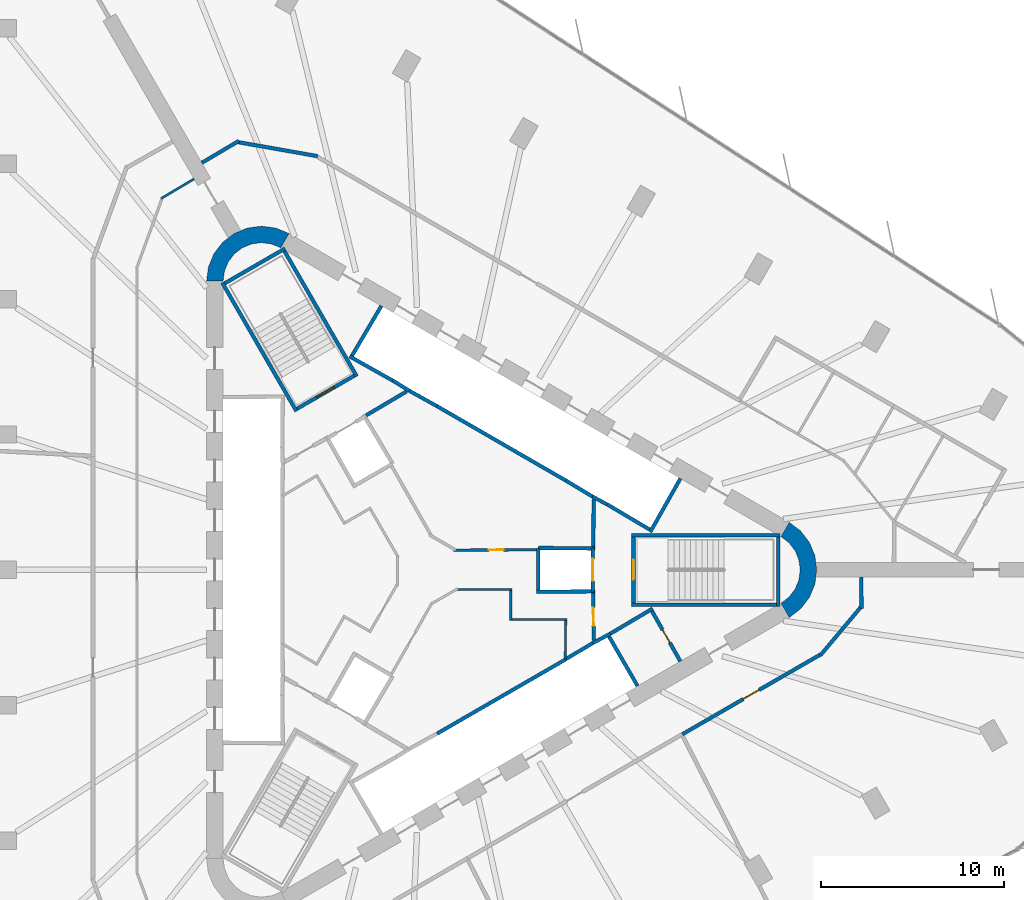
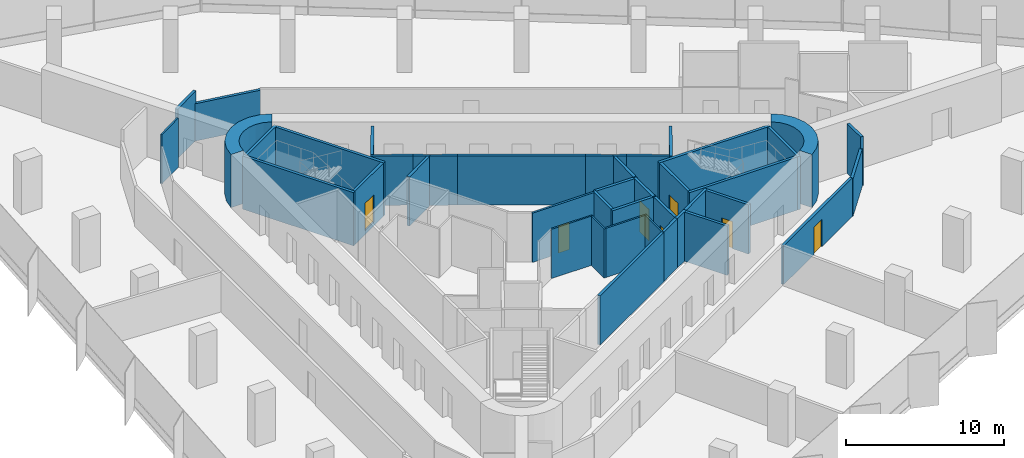
# One storey, part 11 of 14: 43 walls, 7 doors, 7 openings.
"""IFC4 building model written with IfcOpenShell, lengths in metres."""

from ifc_helpers import new_model, si_unit, direction, frame, frame_2d, origin, place, context, subcontext, project, spatial, polyline, rectangle, outline, extrude, material, layer, layer_set, type_object, element, fill, save


model = new_model("IFC4")

# Units and contexts
model_context = context("Model", 3, precision=1e-05, world=origin(), true_north=direction((0.0, 1.0)))
body_context = subcontext(model_context, "Body", "Model", "MODEL_VIEW")
ifc_project = project(units=[si_unit("LENGTHUNIT", "METRE"), si_unit("AREAUNIT", "SQUARE_METRE"), si_unit("VOLUMEUNIT", "CUBIC_METRE"), si_unit("PLANEANGLEUNIT", "RADIAN"), si_unit("MASSUNIT", "GRAM", prefix="KILO")], contexts=[model_context])

# Site, building, storey
site_placement = place(None, origin())
site = spatial("IfcSite", under=ifc_project, at=site_placement, CompositionType="ELEMENT")
building_placement = place(site_placement, origin())
building = spatial("IfcBuilding", under=site, at=building_placement, Name="Tanit Gate Tower", CompositionType="ELEMENT")
storey_placement = place(building_placement, frame((0.0, 0.0, 74.199951171875)))
storey = spatial("IfcBuildingStorey", under=building, at=storey_placement, Name="L14", CompositionType="ELEMENT", Elevation=74.199951171875)

# Walls
ifc_material_1 = material(Name="Concrete C60/75", Category="concrete")
ifc_layer_1 = layer(ifc_material_1, 0.89990234375)
ifc_layer_set_1 = layer_set([ifc_layer_1], Name="CORE WALL 900 C60/75")
wall_type_1 = type_object("IfcWallType", Name="CORE WALL 900 C60/75", PredefinedType="SHEAR", material=ifc_layer_set_1)
wall_1_placement = place(storey_placement, origin())
element("IfcWall", 1, at=wall_1_placement, inside=storey, type_object=wall_type_1, Name="CORE WALL CORNER", PredefinedType="SHEAR", context=body_context, shape_type="SweptSolid", body=[
    extrude(outline(polyline([(-7.60009765625, 18.359619140625), (-8.323486328125, 18.659423828125), (-9.10009765625, 18.76171875), (-9.87646484375, 18.659423828125), (-10.60009765625, 18.359619140625), (-11.22119140625, 17.883056640625), (-11.697998046875, 17.26171875), (-11.997802734375, 16.5380859375), (-12.10009765625, 15.76171875), (-11.199951171875, 15.76171875), (-11.12841796875, 16.30517578125), (-10.918701171875, 16.811767578125), (-10.5849609375, 17.24658203125), (-10.14990234375, 17.580322265625), (-9.6435546875, 17.7900390625), (-9.10009765625, 17.86181640625), (-8.556396484375, 17.7900390625), (-8.050048828125, 17.580322265625), (-7.60009765625, 18.359619140625)])), origin(), (0.0, 0.0, 1.0), 4.10009765625),
])
wall_2_placement = place(storey_placement, origin())
element("IfcWall", 2, at=wall_2_placement, inside=storey, type_object=wall_type_1, Name="CORE WALL CORNER", PredefinedType="SHEAR", context=body_context, shape_type="SweptSolid", body=[
    extrude(outline(polyline([(19.699951171875, -2.59814453125), (20.3212890625, -2.121337890625), (20.798095703125, -1.5), (21.097900390625, -0.776611328125), (21.199951171875, 0.0), (21.097900390625, 0.776611328125), (20.798095703125, 1.5), (20.3212890625, 2.121337890625), (19.699951171875, 2.59814453125), (19.25, 1.818603515625), (19.684814453125, 1.48486328125), (20.018798828125, 1.050048828125), (20.228515625, 0.54345703125), (20.300048828125, 0.0), (20.228515625, -0.54345703125), (20.018798828125, -1.050048828125), (19.684814453125, -1.48486328125), (19.25, -1.818603515625), (19.699951171875, -2.59814453125)])), origin(), (0.0, 0.0, 1.0), 4.10009765625),
])
ifc_material_2 = material(Name="Fire-rated gypsum board partition")
ifc_layer_2 = layer(ifc_material_2, 0.199951171875)
ifc_layer_set_2 = layer_set([ifc_layer_2], Name="INT-WALL-COMPARTMENT")
wall_type_2 = type_object("IfcWallType", Name="INT-WALL-COMPARTMENT", PredefinedType="PARTITIONING", material=ifc_layer_set_2)
wall_3_placement = place(storey_placement, frame((12.244873046875, -2.10888671875, 0.0), z_axis=(0.0, 0.0, 1.0), x_axis=(-0.860414880418, -0.509594185166, 0.0)))
element("IfcWall", 3, at=wall_3_placement, inside=storey, type_object=wall_type_2, Name="Wall Compartment W057", PredefinedType="PARTITIONING", context=body_context, shape_type="SweptSolid", body=[
    extrude(rectangle(XDim=2.7001953125, YDim=0.199951171875, at=frame_2d((1.35009765625, 0.0))), origin(), (0.0, 0.0, 1.0), 3.800048828125),
])

# Wall, opening, door
wall_4_placement = place(storey_placement, frame((13.758056640625, -4.989501953125, 0.0), z_axis=(0.0, 0.0, 1.0), x_axis=(-0.491993409184, 0.87059892334, 0.0)))
wall_4 = element("IfcWall", 4, at=wall_4_placement, inside=storey, type_object=wall_type_2, Name="Wall Compartment W058", PredefinedType="PARTITIONING", context=body_context, shape_type="SweptSolid", body=[
    extrude(rectangle(XDim=3.150146484375, YDim=0.199951171875, at=frame_2d((1.5751953125, 0.0))), origin(), (0.0, 0.0, 1.0), 3.800048828125),
])
opening_1_placement = place(wall_4_placement, frame((1.175048828125, 0.0, 0.0)))
opening_1 = element("IfcOpeningElement", 5, at=opening_1_placement, cuts=wall_4, Name="Opening R08-S02-13", PredefinedType="OPENING", context=body_context, shape_type="SweptSolid", body=[
    extrude(rectangle(XDim=0.800048828125, YDim=2.10009765625, at=frame_2d((0.39990234375, 1.050048828125))), frame((0.0, 0.10986328125, 0.0), z_axis=(0.0, -1.0, 0.0), x_axis=(1.0, 0.0, 0.0)), (0.0, 0.0, 1.0), 0.219970703125),
])
ifc_material_3 = material(Name="Timber door leaf", Category="wood")
door_type_1 = type_object("IfcDoorType", Name="INT-DOOR-RISER-800", OperationType="NOTDEFINED", PredefinedType="USERDEFINED", material=ifc_material_3)
door_1_placement = place(opening_1_placement, origin())
door_1 = element("IfcDoor", 6, at=door_1_placement, inside=storey, type_object=door_type_1, Name="Door R08-S02-13", ObjectType="FIRE DOOR", OperationType="SINGLE_SWING_LEFT", OverallHeight=2.10009765625, OverallWidth=0.800048828125, PredefinedType="USERDEFINED", context=body_context, shape_type="SweptSolid", body=[
    extrude(rectangle(XDim=0.800048828125, YDim=2.10009765625, at=frame_2d((0.39990234375, 1.050048828125))), frame((0.0, 0.02490234375, 0.0), z_axis=(0.0, -1.0, 0.0), x_axis=(1.0, 0.0, 0.0)), (0.0, 0.0, 1.0), 0.050048828125),
])
fill(opening_1, door_1)

# Wall
wall_5_placement = place(storey_placement, frame((9.0009765625, 1.27001953125, 0.0), z_axis=(0.0, 0.0, 1.0), x_axis=(0.010784614026, 0.999941844359, 0.0)))
element("IfcWall", 7, at=wall_5_placement, inside=storey, type_object=wall_type_2, Name="Wall Compartment W059", PredefinedType="PARTITIONING", context=body_context, shape_type="SweptSolid", body=[
    extrude(rectangle(XDim=2.580810546875, YDim=0.199951171875, at=frame_2d((1.29052734375, 0.0))), origin(), (0.0, 0.0, 1.0), 3.800048828125),
])

# Wall, opening, door
wall_6_placement = place(storey_placement, frame((9.02880859375, -3.850830078125, 0.0), z_axis=(0.0, 0.0, 1.0), x_axis=(-0.010783593937, 0.99994185536, 0.0)))
wall_6 = element("IfcWall", 8, at=wall_6_placement, inside=storey, type_object=wall_type_2, Name="Wall Compartment W060", PredefinedType="PARTITIONING", context=body_context, shape_type="SweptSolid", body=[
    extrude(rectangle(XDim=2.5810546875, YDim=0.199951171875, at=frame_2d((1.29052734375, 0.0))), origin(), (0.0, 0.0, 1.0), 3.800048828125),
])
opening_2_placement = place(wall_6_placement, frame((0.79052734375, 0.0, 0.0)))
opening_2 = element("IfcOpeningElement", 9, at=opening_2_placement, cuts=wall_6, Name="Opening F10-S02-02", PredefinedType="OPENING", context=body_context, shape_type="SweptSolid", body=[
    extrude(rectangle(XDim=1.0, YDim=2.10009765625, at=frame_2d((0.5, 1.050048828125))), frame((0.0, 0.10986328125, 0.0), z_axis=(0.0, -1.0, 0.0), x_axis=(1.0, 0.0, 0.0)), (0.0, 0.0, 1.0), 0.219970703125),
])
ifc_material_4 = material(Name="Fire-rated steel door leaf", Category="steel")
door_type_2 = type_object("IfcDoorType", Name="INT-DOOR-FIRE-1000", OperationType="NOTDEFINED", PredefinedType="USERDEFINED", material=ifc_material_4)
door_2_placement = place(opening_2_placement, origin())
door_2 = element("IfcDoor", 10, at=door_2_placement, inside=storey, type_object=door_type_2, Name="Door F10-S02-02", ObjectType="FIRE DOOR", OperationType="SINGLE_SWING_RIGHT", OverallHeight=2.10009765625, OverallWidth=1.0, PredefinedType="USERDEFINED", context=body_context, shape_type="SweptSolid", body=[
    extrude(rectangle(XDim=1.0, YDim=2.10009765625, at=frame_2d((0.5, 1.050048828125))), frame((0.0, 0.02490234375, 0.0), z_axis=(0.0, -1.0, 0.0), x_axis=(1.0, 0.0, 0.0)), (0.0, 0.0, 1.0), 0.050048828125),
])
fill(opening_2, door_2)

# Walls
wall_7_placement = place(storey_placement, frame((-1.1796875, 9.744384765625, 0.0), z_axis=(0.0, 0.0, 1.0), x_axis=(-0.860615607571, -0.509255118781, 0.0)))
element("IfcWall", 11, at=wall_7_placement, inside=storey, type_object=wall_type_2, Name="Wall Compartment W061", PredefinedType="PARTITIONING", context=body_context, shape_type="SweptSolid", body=[
    extrude(rectangle(XDim=2.58056640625, YDim=0.199951171875, at=frame_2d((1.290283203125, 0.0))), origin(), (0.0, 0.0, 1.0), 3.800048828125),
])
wall_8_placement = place(storey_placement, frame((-10.3388671875, 23.4150390625, 0.0), z_axis=(0.0, 0.0, 1.0), x_axis=(-0.860316803263, -0.509759745393, 0.0)))
element("IfcWall", 12, at=wall_8_placement, inside=storey, type_object=wall_type_2, Name="Wall Compartment W094", PredefinedType="PARTITIONING", context=body_context, shape_type="SweptSolid", body=[
    extrude(rectangle(XDim=2.35400390625, YDim=0.199951171875, at=frame_2d((1.177001953125, 0.0))), origin(), (0.0, 0.0, 1.0), 3.800048828125),
])
wall_9_placement = place(storey_placement, frame((-6.042236328125, 22.58056640625, 0.0), z_axis=(0.0, 0.0, 1.0), x_axis=(-0.984805258509, 0.173662324106, 0.0)))
element("IfcWall", 13, at=wall_9_placement, inside=storey, type_object=wall_type_2, Name="Wall Compartment W095", PredefinedType="PARTITIONING", context=body_context, shape_type="SweptSolid", body=[
    extrude(rectangle(XDim=4.415771484375, YDim=0.199951171875, at=frame_2d((2.2080078125, 0.0))), origin(), (0.0, 0.0, 1.0), 2.880126953125),
])
wall_10_placement = place(storey_placement, frame((23.64794921875, -2.097900390625, 0.0), z_axis=(0.0, 0.0, 1.0), x_axis=(-0.015095332307, 0.99988605898, 0.0)))
element("IfcWall", 14, at=wall_10_placement, inside=storey, type_object=wall_type_2, Name="Wall Compartment W102", PredefinedType="PARTITIONING", context=body_context, shape_type="SweptSolid", body=[
    extrude(rectangle(XDim=1.6982421875, YDim=0.199951171875, at=frame_2d((0.84912109375, 0.0))), origin(), (0.0, 0.0, 1.0), 3.800048828125),
])
wall_11_placement = place(storey_placement, frame((21.4013671875, -4.657470703125, 0.0), z_axis=(0.0, 0.0, 1.0), x_axis=(0.642796210095, 0.766037226437, 0.0)))
element("IfcWall", 15, at=wall_11_placement, inside=storey, type_object=wall_type_2, Name="Wall Compartment W103", PredefinedType="PARTITIONING", context=body_context, shape_type="SweptSolid", body=[
    extrude(rectangle(XDim=3.44287109375, YDim=0.199951171875, at=frame_2d((1.721435546875, 0.0))), origin(), (0.0, 0.0, 1.0), 2.880126953125),
])

# Wall, opening, door
wall_12_placement = place(storey_placement, frame((13.862060546875, -8.970703125, 0.0), z_axis=(0.0, 0.0, 1.0), x_axis=(0.866032891431, 0.499987030792, 0.0)))
wall_12 = element("IfcWall", 16, at=wall_12_placement, inside=storey, type_object=wall_type_2, Name="Wall Compartment W104", PredefinedType="PARTITIONING", context=body_context, shape_type="SweptSolid", body=[
    extrude(rectangle(XDim=8.679931640625, YDim=0.199951171875, at=frame_2d((4.33984375, 0.0))), origin(), (0.0, 0.0, 1.0), 2.97998046875),
])
opening_3_placement = place(wall_12_placement, frame((3.83984375, 0.0, 0.0)))
opening_3 = element("IfcOpeningElement", 17, at=opening_3_placement, cuts=wall_12, Name="Opening F10-S02-22", PredefinedType="OPENING", context=body_context, shape_type="SweptSolid", body=[
    extrude(rectangle(XDim=1.0, YDim=2.10009765625, at=frame_2d((0.5, 1.050048828125))), frame((0.0, 0.10986328125, 0.0), z_axis=(0.0, -1.0, 0.0), x_axis=(1.0, 0.0, 0.0)), (0.0, 0.0, 1.0), 0.219970703125),
])
door_3_placement = place(opening_3_placement, origin())
door_3 = element("IfcDoor", 18, at=door_3_placement, inside=storey, type_object=door_type_2, Name="Door F10-S02-22", ObjectType="FIRE DOOR", OperationType="SINGLE_SWING_LEFT", OverallHeight=2.10009765625, OverallWidth=1.0, PredefinedType="USERDEFINED", context=body_context, shape_type="SweptSolid", body=[
    extrude(rectangle(XDim=1.0, YDim=2.10009765625, at=frame_2d((0.5, 1.050048828125))), frame((0.0, 0.02490234375, 0.0), z_axis=(0.0, -1.0, 0.0), x_axis=(1.0, 0.0, 0.0)), (0.0, 0.0, 1.0), 0.050048828125),
])
fill(opening_3, door_3)

# Walls
ifc_material_5 = material(Name="Gypsum board partition")
ifc_layer_3 = layer(ifc_material_5, 0.1201171875)
ifc_layer_set_3 = layer_set([ifc_layer_3], Name="INT-WALL-PARTITION")
wall_type_3 = type_object("IfcWallType", Name="INT-WALL-PARTITION", PredefinedType="PARTITIONING", material=ifc_layer_set_3)
wall_13_placement = place(storey_placement, frame((4.56005859375, -1.074951171875, 0.0), z_axis=(0.0, 0.0, 1.0), x_axis=(-1.0, 0.0, 0.0)))
element("IfcWall", 19, at=wall_13_placement, inside=storey, type_object=wall_type_3, Name="Wall Partition W070", PredefinedType="PARTITIONING", context=body_context, shape_type="SweptSolid", body=[
    extrude(rectangle(XDim=3.02587890625, YDim=0.1201171875, at=frame_2d((1.512939453125, 0.0))), origin(), (0.0, 0.0, 1.0), 3.800048828125),
])
wall_14_placement = place(storey_placement, frame((4.5, -2.760009765625, 0.0), z_axis=(0.0, 0.0, 1.0), x_axis=(0.0, 1.0, 0.0)))
element("IfcWall", 20, at=wall_14_placement, inside=storey, type_object=wall_type_3, Name="Wall Partition W071", PredefinedType="PARTITIONING", context=body_context, shape_type="SweptSolid", body=[
    extrude(rectangle(XDim=1.625, YDim=0.1201171875, at=frame_2d((0.8125, 0.0))), origin(), (0.0, 0.0, 1.0), 3.800048828125),
])
wall_15_placement = place(storey_placement, frame((7.56005859375, -2.699951171875, 0.0), z_axis=(0.0, 0.0, 1.0), x_axis=(-1.0, 0.0, 0.0)))
element("IfcWall", 21, at=wall_15_placement, inside=storey, type_object=wall_type_3, Name="Wall Partition W072", PredefinedType="PARTITIONING", context=body_context, shape_type="SweptSolid", body=[
    extrude(rectangle(XDim=3.0, YDim=0.1201171875, at=frame_2d((1.5, 0.0))), origin(), (0.0, 0.0, 1.0), 3.800048828125),
])
wall_16_placement = place(storey_placement, frame((7.474609375, -4.864501953125, 0.0), z_axis=(0.0, 0.0, 1.0), x_axis=(0.011716133148, 0.999931363757, 0.0)))
element("IfcWall", 22, at=wall_16_placement, inside=storey, type_object=wall_type_3, Name="Wall Partition W073", PredefinedType="PARTITIONING", context=body_context, shape_type="SweptSolid", body=[
    extrude(rectangle(XDim=2.104736328125, YDim=0.1201171875, at=frame_2d((1.05224609375, 0.0))), origin(), (0.0, 0.0, 1.0), 3.800048828125),
])
wall_17_placement = place(storey_placement, frame((-12.781982421875, 21.339111328125, 0.0), z_axis=(0.0, 0.0, 1.0), x_axis=(-0.859769901207, -0.510681619973, 0.0)))
element("IfcWall", 23, at=wall_17_placement, inside=storey, type_object=wall_type_3, Name="Wall Partition W083", PredefinedType="PARTITIONING", context=body_context, shape_type="SweptSolid", body=[
    extrude(rectangle(XDim=2.092529296875, YDim=0.1201171875, at=frame_2d((1.04638671875, 0.0))), origin(), (0.0, 0.0, 1.0), 3.800048828125),
])

# Wall, opening, door
ifc_material_6 = material(Name="Fire-rated gypsum board partition")
ifc_layer_4 = layer(ifc_material_6, 0.14990234375)
ifc_layer_set_4 = layer_set([ifc_layer_4], Name="INT-WALL-RISER")
wall_type_4 = type_object("IfcWallType", Name="INT-WALL-RISER", PredefinedType="PLUMBINGWALL", material=ifc_layer_set_4)
wall_18_placement = place(storey_placement, frame((1.3876953125, 1.07421875, 0.0), z_axis=(0.0, 0.0, 1.0), x_axis=(0.99997856967, 0.006546770205, 0.0)))
wall_18 = element("IfcWall", 24, at=wall_18_placement, inside=storey, type_object=wall_type_4, Name="Wall Riser W065", PredefinedType="PLUMBINGWALL", context=body_context, shape_type="SweptSolid", body=[
    extrude(rectangle(XDim=4.51220703125, YDim=0.14990234375, at=frame_2d((2.256103515625, 0.0))), origin(), (0.0, 0.0, 1.0), 3.800048828125),
])
opening_4_placement = place(wall_18_placement, frame((1.920166015625, 0.0, 0.0)))
opening_4 = element("IfcOpeningElement", 25, at=opening_4_placement, cuts=wall_18, Name="Opening R08-S02-10", PredefinedType="OPENING", context=body_context, shape_type="SweptSolid", body=[
    extrude(rectangle(XDim=0.800048828125, YDim=2.10009765625, at=frame_2d((0.39990234375, 1.050048828125))), frame((0.0, 0.0849609375, 0.0), z_axis=(0.0, -1.0, 0.0), x_axis=(1.0, 0.0, 0.0)), (0.0, 0.0, 1.0), 0.169921875),
])
door_4_placement = place(opening_4_placement, origin())
door_4 = element("IfcDoor", 26, at=door_4_placement, inside=storey, type_object=door_type_1, Name="Door R08-S02-10", ObjectType="FIRE DOOR", OperationType="SINGLE_SWING_RIGHT", OverallHeight=2.10009765625, OverallWidth=0.800048828125, PredefinedType="USERDEFINED", context=body_context, shape_type="SweptSolid", body=[
    extrude(rectangle(XDim=0.800048828125, YDim=2.10009765625, at=frame_2d((0.39990234375, 1.050048828125))), frame((0.0, 0.02490234375, 0.0), z_axis=(0.0, -1.0, 0.0), x_axis=(1.0, 0.0, 0.0)), (0.0, 0.0, 1.0), 0.050048828125),
])
fill(opening_4, door_4)

# Walls
ifc_material_7 = material(Name="Gypsum shaft wall system")
ifc_layer_5 = layer(ifc_material_7, 0.199951171875)
ifc_layer_set_5 = layer_set([ifc_layer_5], Name="INT-WALL-SHAFT")
wall_type_5 = type_object("IfcWallType", Name="INT-WALL-SHAFT", PredefinedType="PLUMBINGWALL", material=ifc_layer_set_5)
wall_19_placement = place(storey_placement, frame((7.497314453125, 4.885986328125, 0.0), z_axis=(0.0, 0.0, 1.0), x_axis=(-0.866030989016, 0.499990325971, 0.0)))
element("IfcWall", 27, at=wall_19_placement, inside=storey, type_object=wall_type_5, Name="Wall Shaft W003", PredefinedType="PLUMBINGWALL", context=body_context, shape_type="SweptSolid", body=[
    extrude(rectangle(XDim=8.099853515625, YDim=0.199951171875, at=frame_2d((4.0498046875, 0.0))), origin(), (0.0, 0.0, 1.0), 3.800048828125),
])
wall_20_placement = place(storey_placement, frame((12.10986328125, 2.07275390625, 0.0), z_axis=(0.0, 0.0, 1.0), x_axis=(0.49196600604, 0.870614408852, 0.0)))
element("IfcWall", 28, at=wall_20_placement, inside=storey, type_object=wall_type_5, Name="Wall Shaft W013", PredefinedType="PLUMBINGWALL", context=body_context, shape_type="SweptSolid", body=[
    extrude(rectangle(XDim=3.35009765625, YDim=0.199951171875, at=frame_2d((1.675048828125, 0.0))), origin(), (0.0, 0.0, 1.0), 3.800048828125),
])
wall_21_placement = place(storey_placement, frame((12.072998046875, 2.2109375, 0.0), z_axis=(0.0, 0.0, 1.0), x_axis=(-0.860438357912, 0.509554542943, 0.0)))
element("IfcWall", 29, at=wall_21_placement, inside=storey, type_object=wall_type_5, Name="Wall Shaft W014", PredefinedType="PLUMBINGWALL", context=body_context, shape_type="SweptSolid", body=[
    extrude(rectangle(XDim=2.700439453125, YDim=0.199951171875, at=frame_2d((1.35009765625, 0.0))), origin(), (0.0, 0.0, 1.0), 3.800048828125),
])
wall_22_placement = place(storey_placement, frame((9.74755859375, 3.583251953125, 0.0), z_axis=(0.0, 0.0, 1.0), x_axis=(-0.880917147855, 0.473270513147, 0.0)))
element("IfcWall", 30, at=wall_22_placement, inside=storey, type_object=wall_type_5, Name="Wall Shaft W015", PredefinedType="PLUMBINGWALL", context=body_context, shape_type="SweptSolid", body=[
    extrude(rectangle(XDim=0.8779296875, YDim=0.199951171875, at=frame_2d((0.43896484375, 0.0))), origin(), (0.0, 0.0, 1.0), 3.800048828125),
])
wall_23_placement = place(storey_placement, frame((9.0791015625, 3.93701171875, 0.0), z_axis=(0.0, 0.0, 1.0), x_axis=(-0.857516281273, 0.51445682749, 0.0)))
element("IfcWall", 31, at=wall_23_placement, inside=storey, type_object=wall_type_5, Name="Wall Shaft W016", PredefinedType="PLUMBINGWALL", context=body_context, shape_type="SweptSolid", body=[
    extrude(rectangle(XDim=1.8447265625, YDim=0.199951171875, at=frame_2d((0.92236328125, 0.0))), origin(), (0.0, 0.0, 1.0), 3.800048828125),
])
wall_24_placement = place(storey_placement, frame((-1.940673828125, 10.338623046875, 0.0), z_axis=(0.0, 0.0, 1.0), x_axis=(0.850216889117, -0.526432561171, 0.0)))
element("IfcWall", 32, at=wall_24_placement, inside=storey, type_object=wall_type_5, Name="Wall Shaft W019", PredefinedType="PLUMBINGWALL", context=body_context, shape_type="SweptSolid", body=[
    extrude(rectangle(XDim=1.078369140625, YDim=0.199951171875, at=frame_2d((0.5390625, 0.0))), origin(), (0.0, 0.0, 1.0), 3.800048828125),
])
wall_25_placement = place(storey_placement, frame((0.482666015625, 8.935791015625, 0.0), z_axis=(0.0, 0.0, 1.0), x_axis=(-0.874269620932, 0.485440655401, 0.0)))
element("IfcWall", 33, at=wall_25_placement, inside=storey, type_object=wall_type_5, Name="Wall Shaft W020", PredefinedType="PLUMBINGWALL", context=body_context, shape_type="SweptSolid", body=[
    extrude(rectangle(XDim=1.8447265625, YDim=0.199951171875, at=frame_2d((0.92236328125, 0.0))), origin(), (0.0, 0.0, 1.0), 3.800048828125),
])
wall_26_placement = place(storey_placement, frame((-4.296142578125, 11.658935546875, 0.0), z_axis=(0.0, 0.0, 1.0), x_axis=(0.871534483978, -0.490334215854, 0.0)))
element("IfcWall", 34, at=wall_26_placement, inside=storey, type_object=wall_type_5, Name="Wall Shaft W021", PredefinedType="PLUMBINGWALL", context=body_context, shape_type="SweptSolid", body=[
    extrude(rectangle(XDim=2.7001953125, YDim=0.199951171875, at=frame_2d((1.35009765625, 0.0))), origin(), (0.0, 0.0, 1.0), 3.800048828125),
])
wall_27_placement = place(storey_placement, frame((-4.158203125, 11.696044921875, 0.0), z_axis=(0.0, 0.0, 1.0), x_axis=(0.508018930956, 0.861345903683, 0.0)))
element("IfcWall", 35, at=wall_27_placement, inside=storey, type_object=wall_type_5, Name="Wall Shaft W022", PredefinedType="PLUMBINGWALL", context=body_context, shape_type="SweptSolid", body=[
    extrude(rectangle(XDim=3.150146484375, YDim=0.199951171875, at=frame_2d((1.5751953125, 0.0))), origin(), (0.0, 0.0, 1.0), 3.800048828125),
])
wall_28_placement = place(storey_placement, frame((0.482666015625, -8.935791015625, 0.0), z_axis=(0.0, 0.0, 1.0), x_axis=(0.866030989016, 0.499990325971, 0.0)))
element("IfcWall", 36, at=wall_28_placement, inside=storey, type_object=wall_type_5, Name="Wall Shaft W031", PredefinedType="PLUMBINGWALL", context=body_context, shape_type="SweptSolid", body=[
    extrude(rectangle(XDim=8.099853515625, YDim=0.199951171875, at=frame_2d((4.0498046875, 0.0))), origin(), (0.0, 0.0, 1.0), 3.800048828125),
])
wall_29_placement = place(storey_placement, frame((9.794677734375, -3.52490234375, 0.0), z_axis=(0.0, 0.0, 1.0), x_axis=(0.499984717929, -0.866034226713, 0.0)))
element("IfcWall", 37, at=wall_29_placement, inside=storey, type_object=wall_type_5, Name="Wall Shaft W024", PredefinedType="PLUMBINGWALL", context=body_context, shape_type="SweptSolid", body=[
    extrude(rectangle(XDim=3.25, YDim=0.199951171875, at=frame_2d((1.625, 0.0))), origin(), (0.0, 0.0, 1.0), 3.800048828125),
])
wall_30_placement = place(storey_placement, frame((8.97412109375, -3.998779296875, 0.0), z_axis=(0.0, 0.0, 1.0), x_axis=(0.880907015104, 0.473289373154, 0.0)))
element("IfcWall", 38, at=wall_30_placement, inside=storey, type_object=wall_type_5, Name="Wall Shaft W025", PredefinedType="PLUMBINGWALL", context=body_context, shape_type="SweptSolid", body=[
    extrude(rectangle(XDim=1.078125, YDim=0.199951171875, at=frame_2d((0.5390625, 0.0))), origin(), (0.0, 0.0, 1.0), 3.800048828125),
])
wall_31_placement = place(storey_placement, frame((7.4931640625, -4.87841796875, 0.0), z_axis=(0.0, 0.0, 1.0), x_axis=(0.859981807212, 0.510324691999, 0.0)))
element("IfcWall", 39, at=wall_31_placement, inside=storey, type_object=wall_type_5, Name="Wall Shaft W026", PredefinedType="PLUMBINGWALL", context=body_context, shape_type="SweptSolid", body=[
    extrude(rectangle(XDim=1.8447265625, YDim=0.199951171875, at=frame_2d((0.92236328125, 0.0))), origin(), (0.0, 0.0, 1.0), 3.800048828125),
])

# Wall, opening, door
wall_32_placement = place(storey_placement, frame((8.969970703125, 1.199951171875, 0.0), z_axis=(0.0, 0.0, 1.0), x_axis=(0.0, -1.0, 0.0)))
wall_32 = element("IfcWall", 40, at=wall_32_placement, inside=storey, type_object=wall_type_5, Name="Wall Shaft W037", PredefinedType="PLUMBINGWALL", context=body_context, shape_type="SweptSolid", body=[
    extrude(rectangle(XDim=2.39990234375, YDim=0.199951171875, at=frame_2d((1.199951171875, 0.0))), origin(), (0.0, 0.0, 1.0), 3.800048828125),
])
opening_5_placement = place(wall_32_placement, frame((0.60009765625, 0.0, 0.0)))
opening_5 = element("IfcOpeningElement", 41, at=opening_5_placement, cuts=wall_32, Name="Opening LDFL1-L14", PredefinedType="OPENING", context=body_context, shape_type="SweptSolid", body=[
    extrude(rectangle(XDim=1.199951171875, YDim=2.39990234375, at=frame_2d((0.60009765625, 1.199951171875))), frame((0.0, 0.10986328125, 0.0), z_axis=(0.0, -1.0, 0.0), x_axis=(1.0, 0.0, 0.0)), (0.0, 0.0, 1.0), 0.219970703125),
])
ifc_material_8 = material(Name="Stainless steel sliding door leaf", Category="steel")
door_type_3 = type_object("IfcDoorType", Name="INT-DOOR-LANDING-1200", OperationType="NOTDEFINED", PredefinedType="USERDEFINED", material=ifc_material_8)
door_5_placement = place(opening_5_placement, origin())
door_5 = element("IfcDoor", 42, at=door_5_placement, inside=storey, type_object=door_type_3, Name="Door LDFL1-L14", ObjectType="LANDING DOOR", OperationType="SLIDING_TO_LEFT", OverallHeight=2.39990234375, OverallWidth=1.199951171875, PredefinedType="USERDEFINED", context=body_context, shape_type="SweptSolid", body=[
    extrude(rectangle(XDim=1.199951171875, YDim=2.39990234375, at=frame_2d((0.60009765625, 1.199951171875))), frame((0.0, 0.02490234375, 0.0), z_axis=(0.0, -1.0, 0.0), x_axis=(1.0, 0.0, 0.0)), (0.0, 0.0, 1.0), 0.050048828125),
])
fill(opening_5, door_5)

# Walls
wall_33_placement = place(storey_placement, frame((6.0, 1.199951171875, 0.0), z_axis=(0.0, 0.0, 1.0), x_axis=(0.999949988, -0.010001074852, 0.0)))
element("IfcWall", 43, at=wall_33_placement, inside=storey, type_object=wall_type_5, Name="Wall Shaft W038", PredefinedType="PLUMBINGWALL", context=body_context, shape_type="SweptSolid", body=[
    extrude(rectangle(XDim=3.100341796875, YDim=0.199951171875, at=frame_2d((1.55029296875, 0.0))), origin(), (0.0, 0.0, 1.0), 3.800048828125),
])
wall_34_placement = place(storey_placement, frame((5.89990234375, -1.200927734375, 0.0), z_axis=(0.0, 0.0, 1.0), x_axis=(0.999950064753, 0.009993397809, 0.0)))
element("IfcWall", 44, at=wall_34_placement, inside=storey, type_object=wall_type_5, Name="Wall Shaft W039", PredefinedType="PLUMBINGWALL", context=body_context, shape_type="SweptSolid", body=[
    extrude(rectangle(XDim=3.200439453125, YDim=0.199951171875, at=frame_2d((1.60009765625, 0.0))), origin(), (0.0, 0.0, 1.0), 3.800048828125),
])
wall_35_placement = place(storey_placement, frame((6.0, -1.10009765625, 0.0), z_axis=(0.0, 0.0, 1.0), x_axis=(0.0, 1.0, 0.0)))
element("IfcWall", 45, at=wall_35_placement, inside=storey, type_object=wall_type_5, Name="Wall Shaft W040", PredefinedType="PLUMBINGWALL", context=body_context, shape_type="SweptSolid", body=[
    extrude(rectangle(XDim=2.279541015625, YDim=0.199951171875, at=frame_2d((1.1396484375, 0.0))), origin(), (0.0, 0.0, 1.0), 3.800048828125),
])
ifc_material_9 = material(Name="Concrete C40/50", Category="concrete")
ifc_layer_6 = layer(ifc_material_9, 0.199951171875)
ifc_layer_set_6 = layer_set([ifc_layer_6], Name="INT-WALL-STAIR")
wall_type_6 = type_object("IfcWallType", Name="INT-WALL-STAIR", PredefinedType="SHEAR", material=ifc_layer_set_6)
wall_36_placement = place(storey_placement, frame((19.199951171875, 1.89990234375, -0.300048828125), z_axis=(0.0, 0.0, 1.0), x_axis=(-1.0, 0.0, 0.0)))
element("IfcWall", 46, at=wall_36_placement, inside=storey, type_object=wall_type_6, Name="Wall Stair W033", PredefinedType="SHEAR", context=body_context, shape_type="SweptSolid", body=[
    extrude(rectangle(XDim=8.099853515625, YDim=0.199951171875, at=frame_2d((4.0498046875, 0.0))), origin(), (0.0, 0.0, 1.0), 4.10009765625),
])
wall_37_placement = place(storey_placement, frame((19.10009765625, -2.0, -0.300048828125), z_axis=(0.0, 0.0, 1.0), x_axis=(0.0, 1.0, 0.0)))
element("IfcWall", 47, at=wall_37_placement, inside=storey, type_object=wall_type_6, Name="Wall Stair W034", PredefinedType="SHEAR", context=body_context, shape_type="SweptSolid", body=[
    extrude(rectangle(XDim=3.800048828125, YDim=0.199951171875, at=frame_2d((1.89990234375, 0.0))), origin(), (0.0, 0.0, 1.0), 4.10009765625),
])
wall_38_placement = place(storey_placement, frame((11.10009765625, -1.89990234375, -0.300048828125), z_axis=(0.0, 0.0, 1.0), x_axis=(1.0, 0.0, 0.0)))
element("IfcWall", 48, at=wall_38_placement, inside=storey, type_object=wall_type_6, Name="Wall Stair W035", PredefinedType="SHEAR", context=body_context, shape_type="SweptSolid", body=[
    extrude(rectangle(XDim=7.89990234375, YDim=0.199951171875, at=frame_2d((3.949951171875, 0.0))), origin(), (0.0, 0.0, 1.0), 4.10009765625),
])

# Wall, opening, door
wall_39_placement = place(storey_placement, frame((11.199951171875, -1.800048828125, -0.300048828125), z_axis=(0.0, 0.0, 1.0), x_axis=(0.0, 1.0, 0.0)))
wall_39 = element("IfcWall", 49, at=wall_39_placement, inside=storey, type_object=wall_type_6, Name="Wall Stair W036", PredefinedType="SHEAR", context=body_context, shape_type="SweptSolid", body=[
    extrude(rectangle(XDim=3.60009765625, YDim=0.199951171875, at=frame_2d((1.800048828125, 0.0))), origin(), (0.0, 0.0, 1.0), 4.10009765625),
])
opening_6_placement = place(wall_39_placement, frame((1.25, 0.0, 0.300048828125)))
opening_6 = element("IfcOpeningElement", 50, at=opening_6_placement, cuts=wall_39, Name="Opening S11-S02-01", PredefinedType="OPENING", context=body_context, shape_type="SweptSolid", body=[
    extrude(rectangle(XDim=1.10009765625, YDim=2.10009765625, at=frame_2d((0.550048828125, 1.050048828125))), frame((0.0, 0.10986328125, 0.0), z_axis=(0.0, -1.0, 0.0), x_axis=(1.0, 0.0, 0.0)), (0.0, 0.0, 1.0), 0.219970703125),
])
ifc_material_10 = material(Name="Timber door leaf", Category="wood")
door_type_4 = type_object("IfcDoorType", Name="INT-DOOR-STAIR-1100", OperationType="NOTDEFINED", PredefinedType="USERDEFINED", material=ifc_material_10)
door_6_placement = place(opening_6_placement, origin())
door_6 = element("IfcDoor", 51, at=door_6_placement, inside=storey, type_object=door_type_4, Name="Door S11-S02-01", ObjectType="FIRE DOOR", OperationType="SINGLE_SWING_LEFT", OverallHeight=2.10009765625, OverallWidth=1.10009765625, PredefinedType="USERDEFINED", context=body_context, shape_type="SweptSolid", body=[
    extrude(rectangle(XDim=1.10009765625, YDim=2.10009765625, at=frame_2d((0.550048828125, 1.050048828125))), frame((0.0, 0.02490234375, 0.0), z_axis=(0.0, -1.0, 0.0), x_axis=(1.0, 0.0, 0.0)), (0.0, 0.0, 1.0), 0.050048828125),
])
fill(opening_6, door_6)

# Walls
wall_40_placement = place(storey_placement, frame((-11.245361328125, 15.677734375, -0.300048828125), z_axis=(0.0, 0.0, 1.0), x_axis=(0.499977274689, -0.866038523851, 0.0)))
element("IfcWall", 52, at=wall_40_placement, inside=storey, type_object=wall_type_6, Name="Wall Stair W041", PredefinedType="SHEAR", context=body_context, shape_type="SweptSolid", body=[
    extrude(rectangle(XDim=8.10009765625, YDim=0.199951171875, at=frame_2d((4.050048828125, 0.0))), origin(), (0.0, 0.0, 1.0), 4.10009765625),
])
wall_41_placement = place(storey_placement, frame((-7.81787109375, 17.541015625, -0.300048828125), z_axis=(0.0, 0.0, 1.0), x_axis=(-0.866044365799, -0.499967155389, 0.0)))
element("IfcWall", 53, at=wall_41_placement, inside=storey, type_object=wall_type_6, Name="Wall Stair W042", PredefinedType="SHEAR", context=body_context, shape_type="SweptSolid", body=[
    extrude(rectangle(XDim=3.800048828125, YDim=0.199951171875, at=frame_2d((1.89990234375, 0.0))), origin(), (0.0, 0.0, 1.0), 4.10009765625),
])
wall_42_placement = place(storey_placement, frame((-7.8544921875, 17.404541015625, -0.300048828125), z_axis=(0.0, 0.0, 1.0), x_axis=(0.499997992926, -0.866026562566, 0.0)))
element("IfcWall", 54, at=wall_42_placement, inside=storey, type_object=wall_type_6, Name="Wall Stair W043", PredefinedType="SHEAR", context=body_context, shape_type="SweptSolid", body=[
    extrude(rectangle(XDim=7.89990234375, YDim=0.199951171875, at=frame_2d((3.949951171875, 0.0))), origin(), (0.0, 0.0, 1.0), 4.10009765625),
])

# Wall, opening, door
wall_43_placement = place(storey_placement, frame((-7.158935546875, 8.799560546875, -0.300048828125), z_axis=(0.0, 0.0, 1.0), x_axis=(0.866047807691, 0.499961193289, 0.0)))
wall_43 = element("IfcWall", 55, at=wall_43_placement, inside=storey, type_object=wall_type_6, Name="Wall Stair W044", PredefinedType="SHEAR", context=body_context, shape_type="SweptSolid", body=[
    extrude(rectangle(XDim=3.599853515625, YDim=0.199951171875, at=frame_2d((1.7998046875, 0.0))), origin(), (0.0, 0.0, 1.0), 4.10009765625),
])
opening_7_placement = place(wall_43_placement, frame((1.25, 0.0, 0.300048828125)))
opening_7 = element("IfcOpeningElement", 56, at=opening_7_placement, cuts=wall_43, Name="Opening S11-S02-04", PredefinedType="OPENING", context=body_context, shape_type="SweptSolid", body=[
    extrude(rectangle(XDim=1.10009765625, YDim=2.10009765625, at=frame_2d((0.550048828125, 1.050048828125))), frame((0.0, 0.10986328125, 0.0), z_axis=(0.0, -1.0, 0.0), x_axis=(1.0, 0.0, 0.0)), (0.0, 0.0, 1.0), 0.219970703125),
])
door_7_placement = place(opening_7_placement, origin())
door_7 = element("IfcDoor", 57, at=door_7_placement, inside=storey, type_object=door_type_4, Name="Door S11-S02-04", ObjectType="FIRE DOOR", OperationType="SINGLE_SWING_RIGHT", OverallHeight=2.10009765625, OverallWidth=1.10009765625, PredefinedType="USERDEFINED", context=body_context, shape_type="SweptSolid", body=[
    extrude(rectangle(XDim=1.10009765625, YDim=2.10009765625, at=frame_2d((0.550048828125, 1.050048828125))), frame((0.0, 0.02490234375, 0.0), z_axis=(0.0, -1.0, 0.0), x_axis=(1.0, 0.0, 0.0)), (0.0, 0.0, 1.0), 0.050048828125),
])
fill(opening_7, door_7)

save(model, "model.ifc")
